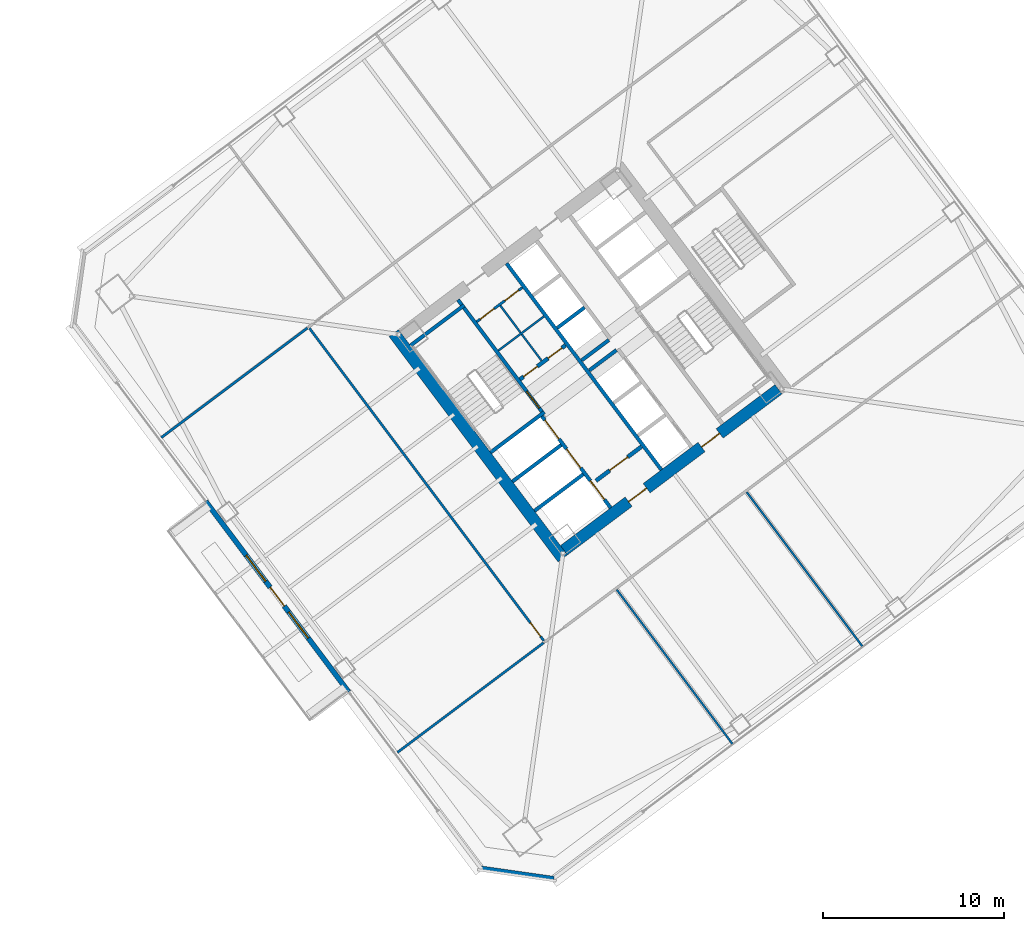
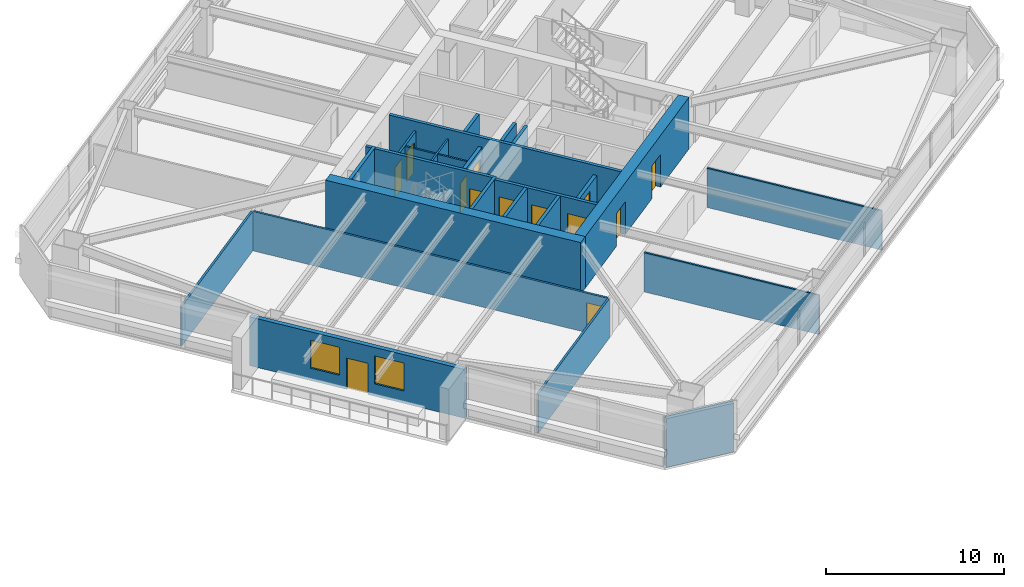
# One storey, part 38 of 46: 24 walls, 13 doors, 2 windows, 15 openings.
"""IFC4 building model written with IfcOpenShell, lengths in metres."""

from ifc_helpers import new_model, si_unit, direction, frame, frame_2d, origin, place, context, subcontext, project, spatial, rectangle, extrude, material, layer, layer_set, type_object, element, fill, save


model = new_model("IFC4")

# Units and contexts
model_context = context("Model", 3, precision=1e-05, world=origin(), true_north=direction((0.0, 1.0)))
body_context = subcontext(model_context, "Body", "Model", "MODEL_VIEW")
ifc_project = project(units=[si_unit("LENGTHUNIT", "METRE"), si_unit("AREAUNIT", "SQUARE_METRE"), si_unit("VOLUMEUNIT", "CUBIC_METRE"), si_unit("PLANEANGLEUNIT", "RADIAN"), si_unit("MASSUNIT", "GRAM", prefix="KILO")], contexts=[model_context])

# Site, building, storey
site_placement = place(None, origin())
site = spatial("IfcSite", under=ifc_project, at=site_placement, CompositionType="ELEMENT")
building_placement = place(site_placement, origin())
building = spatial("IfcBuilding", under=site, at=building_placement, Name="Tashvorn Skyway Center", CompositionType="ELEMENT")
storey_placement = place(building_placement, frame((0.0, 0.0, 60.10009765625)))
storey = spatial("IfcBuildingStorey", under=building, at=storey_placement, Name="L15", CompositionType="ELEMENT", Elevation=60.10009765625)

# Wall
ifc_material_1 = material(Name="Concrete C60/75", Category="concrete")
ifc_layer_1 = layer(ifc_material_1, 0.64990234375)
ifc_layer_set_1 = layer_set([ifc_layer_1], Name="Concrete C60/75")
wall_type_1 = type_object("IfcWallType", Name="WALL-CORE-650", PredefinedType="SHEAR", material=ifc_layer_set_1)
wall_1_placement = place(storey_placement, frame((112.47607421875, 21.10693359375, 0.0), z_axis=(0.0, 0.0, 1.0), x_axis=(-0.600005007985, 0.799996243986, 0.0)))
element("IfcWall", 1, at=wall_1_placement, inside=storey, type_object=wall_type_1, Name="Tower 2 L15 West Core Shear Wall", PredefinedType="SHEAR", context=body_context, shape_type="SweptSolid", body=[
    extrude(rectangle(XDim=15.60009765625, YDim=0.64990234375, at=frame_2d((7.800048828125, 0.0))), origin(), (0.0, 0.0, 1.0), 3.5498046875),
])

# Wall, openings, doors
wall_2_placement = place(storey_placement, frame((124.428955078125, 30.47802734375, 0.0), z_axis=(0.0, 0.0, 1.0), x_axis=(-0.799998028465, -0.600002628705, 0.0)))
wall_2 = element("IfcWall", 2, at=wall_2_placement, inside=storey, type_object=wall_type_1, Name="Tower 2 L15 South Core Shear Wall", PredefinedType="SHEAR", context=body_context, shape_type="SweptSolid", body=[
    extrude(rectangle(XDim=14.85986328125, YDim=0.64990234375, at=frame_2d((7.429931640625, 0.0))), origin(), (0.0, 0.0, 1.0), 3.5498046875),
])
opening_1_placement = place(wall_2_placement, frame((9.1298828125, 0.0, 0.0)))
opening_1 = element("IfcOpeningElement", 3, at=opening_1_placement, cuts=wall_2, Name="Opening D-FFL-1250", PredefinedType="OPENING", context=body_context, shape_type="SweptSolid", body=[
    extrude(rectangle(XDim=1.25, YDim=2.25, at=frame_2d((0.625, 1.125))), frame((0.0, 0.3349609375, 0.0), z_axis=(0.0, -1.0, 0.0), x_axis=(1.0, 0.0, 0.0)), (0.0, 0.0, 1.0), 0.669921875),
])
opening_2_placement = place(wall_2_placement, frame((4.080078125, 0.0, 0.0)))
opening_2 = element("IfcOpeningElement", 4, at=opening_2_placement, cuts=wall_2, Name="Opening D-FFL-1250", PredefinedType="OPENING", context=body_context, shape_type="SweptSolid", body=[
    extrude(rectangle(XDim=1.25, YDim=2.25, at=frame_2d((0.625, 1.125))), frame((0.0, 0.3349609375, 0.0), z_axis=(0.0, -1.0, 0.0), x_axis=(1.0, 0.0, 0.0)), (0.0, 0.0, 1.0), 0.669921875),
])
ifc_material_2 = material(Name="Hollow galvanized steel fire door assembly", Category="steel")
door_type_1 = type_object("IfcDoorType", Name="DOOR-FFL-1250", OperationType="NOTDEFINED", PredefinedType="DOOR", material=ifc_material_2)
door_1_placement = place(opening_1_placement, origin())
door_1 = element("IfcDoor", 5, at=door_1_placement, inside=storey, type_object=door_type_1, Name="Tower 2 L15 Core South Firefighting Exit Door", OperationType="SINGLE_SWING_LEFT", OverallHeight=2.25, OverallWidth=1.25, PredefinedType="DOOR", context=body_context, shape_type="SweptSolid", body=[
    extrude(rectangle(XDim=1.25, YDim=2.25, at=frame_2d((0.625, 1.125))), frame((0.0, 0.02490234375, 0.0), z_axis=(0.0, -1.0, 0.0), x_axis=(1.0, 0.0, 0.0)), (0.0, 0.0, 1.0), 0.050048828125),
])
fill(opening_1, door_1)
door_2_placement = place(opening_2_placement, origin())
door_2 = element("IfcDoor", 6, at=door_2_placement, inside=storey, type_object=door_type_1, Name="Tower 2 L15 Core South Lift Lobby Door", OperationType="SINGLE_SWING_RIGHT", OverallHeight=2.25, OverallWidth=1.25, PredefinedType="DOOR", context=body_context, shape_type="SweptSolid", body=[
    extrude(rectangle(XDim=1.25, YDim=2.25, at=frame_2d((0.625, 1.125))), frame((0.0, 0.02490234375, 0.0), z_axis=(0.0, -1.0, 0.0), x_axis=(1.0, 0.0, 0.0)), (0.0, 0.0, 1.0), 0.050048828125),
])
fill(opening_2, door_2)

# Wall, openings, door, windows
ifc_material_3 = material(Name="Precast concrete C40/50", Category="concrete")
ifc_layer_2 = layer(ifc_material_3, 0.280029296875)
ifc_layer_set_2 = layer_set([ifc_layer_2], Name="Precast concrete C40/50")
wall_type_2 = type_object("IfcWallType", Name="WALL-EXT-280", PredefinedType="SOLIDWALL", material=ifc_layer_set_2)
wall_3_placement = place(storey_placement, frame((100.615966796875, 13.7119140625, 0.0), z_axis=(0.0, 0.0, 1.0), x_axis=(-0.599994081423, 0.800004438899, 0.0)))
wall_3 = element("IfcWall", 7, at=wall_3_placement, inside=storey, type_object=wall_type_2, Name="Tower 2 L15 West Sky Garden Loggia Wall", PredefinedType="SOLIDWALL", context=body_context, shape_type="SweptSolid", body=[
    extrude(rectangle(XDim=13.199951171875, YDim=0.280029296875, at=frame_2d((6.60009765625, 0.0))), origin(), (0.0, 0.0, 1.0), 3.349853515625),
])
opening_3_placement = place(wall_3_placement, frame((5.949951171875, 0.0, 0.0)))
opening_3 = element("IfcOpeningElement", 8, at=opening_3_placement, cuts=wall_3, Name="Opening D-TER-1300", PredefinedType="OPENING", context=body_context, shape_type="SweptSolid", body=[
    extrude(rectangle(XDim=1.300048828125, YDim=2.14990234375, at=frame_2d((0.64990234375, 1.074951171875))), frame((0.0, 0.14990234375, 0.0), z_axis=(0.0, -1.0, 0.0), x_axis=(1.0, 0.0, 0.0)), (0.0, 0.0, 1.0), 0.300048828125),
])
opening_4_placement = place(wall_3_placement, frame((3.73193359375, 0.0, 0.85009765625)))
opening_4 = element("IfcOpeningElement", 9, at=opening_4_placement, cuts=wall_3, Name="Opening WIN-1800", PredefinedType="OPENING", context=body_context, shape_type="SweptSolid", body=[
    extrude(rectangle(XDim=1.800048828125, YDim=1.919921875, at=frame_2d((0.89990234375, 0.9599609375))), frame((0.0, 0.14990234375, 0.0), z_axis=(0.0, -1.0, 0.0), x_axis=(1.0, 0.0, 0.0)), (0.0, 0.0, 1.0), 0.300048828125),
])
opening_5_placement = place(wall_3_placement, frame((7.66796875, 0.0, 0.85009765625)))
opening_5 = element("IfcOpeningElement", 10, at=opening_5_placement, cuts=wall_3, Name="Opening WIN-1800", PredefinedType="OPENING", context=body_context, shape_type="SweptSolid", body=[
    extrude(rectangle(XDim=1.800048828125, YDim=1.919921875, at=frame_2d((0.89990234375, 0.9599609375))), frame((0.0, 0.14990234375, 0.0), z_axis=(0.0, -1.0, 0.0), x_axis=(1.0, 0.0, 0.0)), (0.0, 0.0, 1.0), 0.300048828125),
])
ifc_material_4 = material(Name="Thermally broken bronze-anodized aluminium 6063-T6", Category="aluminium")
door_type_2 = type_object("IfcDoorType", Name="DOOR-TERR-1300", OperationType="NOTDEFINED", PredefinedType="DOOR", material=ifc_material_4)
door_3_placement = place(opening_3_placement, origin())
door_3 = element("IfcDoor", 11, at=door_3_placement, inside=storey, type_object=door_type_2, Name="Tower 2 L15 Sky Garden Access Door", OperationType="SINGLE_SWING_RIGHT", OverallHeight=2.14990234375, OverallWidth=1.300048828125, PredefinedType="DOOR", context=body_context, shape_type="SweptSolid", body=[
    extrude(rectangle(XDim=1.300048828125, YDim=2.14990234375, at=frame_2d((0.64990234375, 1.074951171875))), frame((0.0, 0.02490234375, 0.0), z_axis=(0.0, -1.0, 0.0), x_axis=(1.0, 0.0, 0.0)), (0.0, 0.0, 1.0), 0.050048828125),
])
fill(opening_3, door_3)
ifc_material_5 = material(Name="Low-E solar-control double insulating safety glass", Category="glass")
window_type = type_object("IfcWindowType", Name="WIN-TERR-1800", PartitioningType="SINGLE_PANEL", PredefinedType="WINDOW", material=ifc_material_5)
window_1_placement = place(opening_4_placement, origin())
window_1 = element("IfcWindow", 12, at=window_1_placement, inside=storey, type_object=window_type, Name="Tower 2 L15 Sky Garden Window", OverallHeight=1.919921875, OverallWidth=1.800048828125, PartitioningType="SINGLE_PANEL", PredefinedType="WINDOW", context=body_context, shape_type="SweptSolid", body=[
    extrude(rectangle(XDim=1.800048828125, YDim=1.919921875, at=frame_2d((0.89990234375, 0.9599609375))), frame((0.0, 0.030029296875, 0.0), z_axis=(0.0, -1.0, 0.0), x_axis=(1.0, 0.0, 0.0)), (0.0, 0.0, 1.0), 0.06005859375),
])
fill(opening_4, window_1)
window_2_placement = place(opening_5_placement, origin())
window_2 = element("IfcWindow", 13, at=window_2_placement, inside=storey, type_object=window_type, Name="Tower 2 L15 Sky Garden Second Window", OverallHeight=1.919921875, OverallWidth=1.800048828125, PartitioningType="SINGLE_PANEL", PredefinedType="WINDOW", context=body_context, shape_type="SweptSolid", body=[
    extrude(rectangle(XDim=1.800048828125, YDim=1.919921875, at=frame_2d((0.89990234375, 0.9599609375))), frame((0.0, 0.030029296875, 0.0), z_axis=(0.0, -1.0, 0.0), x_axis=(1.0, 0.0, 0.0)), (0.0, 0.0, 1.0), 0.06005859375),
])
fill(opening_5, window_2)

# Wall
wall_4_placement = place(storey_placement, frame((111.97998046875, 3.360107421875, 0.0), z_axis=(0.0, 0.0, 1.0), x_axis=(-0.989955445613, 0.14137968631, 0.0)))
element("IfcWall", 14, at=wall_4_placement, inside=storey, type_object=wall_type_2, Name="Tower 2 L15 SW Precast Chamfer Wall", PredefinedType="SOLIDWALL", context=body_context, shape_type="SweptSolid", body=[
    extrude(rectangle(XDim=4.101318359375, YDim=0.280029296875, at=frame_2d((2.05078125, 0.0))), origin(), (0.0, 0.0, 1.0), 3.349853515625),
])

# Wall, openings, doors
ifc_material_6 = material(Name="Concrete C40/50", Category="concrete")
ifc_layer_3 = layer(ifc_material_6, 0.219970703125)
ifc_layer_set_3 = layer_set([ifc_layer_3], Name="Concrete C40/50")
wall_type_3 = type_object("IfcWallType", Name="WALL-FFL-220", PredefinedType="SOLIDWALL", material=ifc_layer_set_3)
wall_5_placement = place(storey_placement, frame((110.10400390625, 31.028076171875, 0.0), z_axis=(0.0, 0.0, 1.0), x_axis=(0.800018601094, 0.59997519774, 0.0)))
wall_5 = element("IfcWall", 15, at=wall_5_placement, inside=storey, type_object=wall_type_3, Name="Tower 2 L15 Firefighting Lobby North Wall", PredefinedType="SOLIDWALL", context=body_context, shape_type="SweptSolid", body=[
    extrude(rectangle(XDim=3.14990234375, YDim=0.219970703125, at=frame_2d((1.574951171875, 0.0))), origin(), (0.0, 0.0, 1.0), 2.702880859375),
])
opening_6_placement = place(wall_5_placement, frame((0.25, 0.0, 0.0)))
opening_6 = element("IfcOpeningElement", 16, at=opening_6_placement, cuts=wall_5, Name="Opening D-RT-950", PredefinedType="OPENING", context=body_context, shape_type="SweptSolid", body=[
    extrude(rectangle(XDim=0.949951171875, YDim=2.050048828125, at=frame_2d((0.47509765625, 1.02490234375))), frame((0.0, 0.119873046875, 0.0), z_axis=(0.0, -1.0, 0.0), x_axis=(1.0, 0.0, 0.0)), (0.0, 0.0, 1.0), 0.239990234375),
])
opening_7_placement = place(wall_5_placement, frame((1.949951171875, 0.0, 0.0)))
opening_7 = element("IfcOpeningElement", 17, at=opening_7_placement, cuts=wall_5, Name="Opening D-RT-950", PredefinedType="OPENING", context=body_context, shape_type="SweptSolid", body=[
    extrude(rectangle(XDim=0.949951171875, YDim=2.050048828125, at=frame_2d((0.47509765625, 1.02490234375))), frame((0.0, 0.119873046875, 0.0), z_axis=(0.0, -1.0, 0.0), x_axis=(1.0, 0.0, 0.0)), (0.0, 0.0, 1.0), 0.239990234375),
])
door_type_3 = type_object("IfcDoorType", Name="DOOR-RATED-950", OperationType="NOTDEFINED", PredefinedType="DOOR", material=ifc_material_2)
door_4_placement = place(opening_6_placement, origin())
door_4 = element("IfcDoor", 18, at=door_4_placement, inside=storey, type_object=door_type_3, Name="Tower 2 L15 Core Mail Room Door", OperationType="SINGLE_SWING_LEFT", OverallHeight=2.050048828125, OverallWidth=0.949951171875, PredefinedType="DOOR", context=body_context, shape_type="SweptSolid", body=[
    extrude(rectangle(XDim=0.949951171875, YDim=2.050048828125, at=frame_2d((0.47509765625, 1.02490234375))), frame((0.0, 0.02490234375, 0.0), z_axis=(0.0, -1.0, 0.0), x_axis=(1.0, 0.0, 0.0)), (0.0, 0.0, 1.0), 0.050048828125),
])
fill(opening_6, door_4)
door_5_placement = place(opening_7_placement, origin())
door_5 = element("IfcDoor", 19, at=door_5_placement, inside=storey, type_object=door_type_3, Name="Tower 2 L15 Core Supply Closet Door", OperationType="SINGLE_SWING_RIGHT", OverallHeight=2.050048828125, OverallWidth=0.949951171875, PredefinedType="DOOR", context=body_context, shape_type="SweptSolid", body=[
    extrude(rectangle(XDim=0.949951171875, YDim=2.050048828125, at=frame_2d((0.47509765625, 1.02490234375))), frame((0.0, 0.02490234375, 0.0), z_axis=(0.0, -1.0, 0.0), x_axis=(1.0, 0.0, 0.0)), (0.0, 0.0, 1.0), 0.050048828125),
])
fill(opening_7, door_5)

# Wall, opening, door
wall_6_placement = place(storey_placement, frame((114.31591796875, 25.412109375, 0.0), z_axis=(0.0, 0.0, 1.0), x_axis=(0.800018601094, 0.59997519774, 0.0)))
wall_6 = element("IfcWall", 20, at=wall_6_placement, inside=storey, type_object=wall_type_3, Name="Tower 2 L15 Firefighting Lobby South Wall", PredefinedType="SOLIDWALL", context=body_context, shape_type="SweptSolid", body=[
    extrude(rectangle(XDim=3.14990234375, YDim=0.219970703125, at=frame_2d((1.574951171875, 0.0))), origin(), (0.0, 0.0, 1.0), 2.702880859375),
])
opening_8_placement = place(wall_6_placement, frame((0.949951171875, 0.0, 0.0)))
opening_8 = element("IfcOpeningElement", 21, at=opening_8_placement, cuts=wall_6, Name="Opening D-FFL-1250", PredefinedType="OPENING", context=body_context, shape_type="SweptSolid", body=[
    extrude(rectangle(XDim=1.25, YDim=2.25, at=frame_2d((0.625, 1.125))), frame((0.0, 0.119873046875, 0.0), z_axis=(0.0, -1.0, 0.0), x_axis=(1.0, 0.0, 0.0)), (0.0, 0.0, 1.0), 0.239990234375),
])
door_6_placement = place(opening_8_placement, origin())
door_6 = element("IfcDoor", 22, at=door_6_placement, inside=storey, type_object=door_type_1, Name="Tower 2 L15 Firefighting Lobby Egress Door", OperationType="SINGLE_SWING_LEFT", OverallHeight=2.25, OverallWidth=1.25, PredefinedType="DOOR", context=body_context, shape_type="SweptSolid", body=[
    extrude(rectangle(XDim=1.25, YDim=2.25, at=frame_2d((0.625, 1.125))), frame((0.0, 0.02490234375, 0.0), z_axis=(0.0, -1.0, 0.0), x_axis=(1.0, 0.0, 0.0)), (0.0, 0.0, 1.0), 0.050048828125),
])
fill(opening_8, door_6)

# Walls
ifc_material_7 = material(Name="Gypsum board on cold-formed steel stud framing", Category="steel")
ifc_layer_4 = layer(ifc_material_7, 0.110107421875)
ifc_layer_set_4 = layer_set([ifc_layer_4], Name="Gypsum board on cold-formed steel stud framing")
wall_type_4 = type_object("IfcWallType", Name="WALL-PART-110", PredefinedType="PARTITIONING", material=ifc_layer_set_4)
wall_7_placement = place(storey_placement, frame((121.887939453125, 10.81591796875, 0.0), z_axis=(0.0, 0.0, 1.0), x_axis=(-0.599992698573, 0.800005476018, 0.0)))
element("IfcWall", 23, at=wall_7_placement, inside=storey, type_object=wall_type_4, Name="Tower 2 L15 South Suite Partition 1", PredefinedType="PARTITIONING", context=body_context, shape_type="SweptSolid", body=[
    extrude(rectangle(XDim=10.699951171875, YDim=0.110107421875, at=frame_2d((5.35009765625, 0.0))), origin(), (0.0, 0.0, 1.0), 2.702880859375),
])
wall_8_placement = place(storey_placement, frame((129.087890625, 16.216064453125, 0.0), z_axis=(0.0, 0.0, 1.0), x_axis=(-0.600003650761, 0.799997261916, 0.0)))
element("IfcWall", 24, at=wall_8_placement, inside=storey, type_object=wall_type_4, Name="Tower 2 L15 South Suite Partition 2", PredefinedType="PARTITIONING", context=body_context, shape_type="SweptSolid", body=[
    extrude(rectangle(XDim=10.69970703125, YDim=0.110107421875, at=frame_2d((5.349853515625, 0.0))), origin(), (0.0, 0.0, 1.0), 2.702880859375),
])

# Wall, opening, door
ifc_layer_5 = layer(ifc_material_7, 0.135009765625)
ifc_layer_set_5 = layer_set([ifc_layer_5], Name="Gypsum board on cold-formed steel stud framing")
wall_type_5 = type_object("IfcWallType", Name="WALL-PART-135", PredefinedType="PARTITIONING", material=ifc_layer_set_5)
wall_9_placement = place(storey_placement, frame((111.427978515625, 16.5458984375, 0.0), z_axis=(0.0, 0.0, 1.0), x_axis=(-0.599996389772, 0.800002707659, 0.0)))
wall_9 = element("IfcWall", 25, at=wall_9_placement, inside=storey, type_object=wall_type_5, Name="Tower 2 L15 West Inner Suite Wall", PredefinedType="PARTITIONING", context=body_context, shape_type="SweptSolid", body=[
    extrude(rectangle(XDim=21.639892578125, YDim=0.135009765625, at=frame_2d((10.81982421875, 0.0))), origin(), (0.0, 0.0, 1.0), 2.702880859375),
])
opening_9_placement = place(wall_9_placement, frame((0.300048828125, 0.0, 0.0)))
opening_9 = element("IfcOpeningElement", 26, at=opening_9_placement, cuts=wall_9, Name="Opening D-INT-950", PredefinedType="OPENING", context=body_context, shape_type="SweptSolid", body=[
    extrude(rectangle(XDim=0.949951171875, YDim=2.050048828125, at=frame_2d((0.47509765625, 1.02490234375))), frame((0.0, 0.077392578125, 0.0), z_axis=(0.0, -1.0, 0.0), x_axis=(1.0, 0.0, 0.0)), (0.0, 0.0, 1.0), 0.155029296875),
])
ifc_material_8 = material(Name="Solid-core architectural oak veneer door")
door_type_4 = type_object("IfcDoorType", Name="DOOR-INT-950", OperationType="NOTDEFINED", PredefinedType="DOOR", material=ifc_material_8)
door_7_placement = place(opening_9_placement, origin())
door_7 = element("IfcDoor", 27, at=door_7_placement, inside=storey, type_object=door_type_4, Name="Tower 2 L15 Security Control Room Door", OperationType="SINGLE_SWING_LEFT", OverallHeight=2.050048828125, OverallWidth=0.949951171875, PredefinedType="DOOR", context=body_context, shape_type="SweptSolid", body=[
    extrude(rectangle(XDim=0.949951171875, YDim=2.050048828125, at=frame_2d((0.47509765625, 1.02490234375))), frame((0.0, 0.02490234375, 0.0), z_axis=(0.0, -1.0, 0.0), x_axis=(1.0, 0.0, 0.0)), (0.0, 0.0, 1.0), 0.050048828125),
])
fill(opening_9, door_7)

# Walls
wall_10_placement = place(storey_placement, frame((98.33203125, 33.8740234375, 0.0), z_axis=(0.0, 0.0, 1.0), x_axis=(-0.799997105034, -0.600003859935, 0.0)))
element("IfcWall", 28, at=wall_10_placement, inside=storey, type_object=wall_type_5, Name="Tower 2 L15 West Suite North Wall", PredefinedType="PARTITIONING", context=body_context, shape_type="SweptSolid", body=[
    extrude(rectangle(XDim=10.119873046875, YDim=0.135009765625, at=frame_2d((5.06005859375, 0.0))), origin(), (0.0, 0.0, 1.0), 2.702880859375),
])
wall_11_placement = place(storey_placement, frame((103.31591796875, 10.362060546875, 0.0), z_axis=(0.0, 0.0, 1.0), x_axis=(0.800005789764, 0.599992280237, 0.0)))
element("IfcWall", 29, at=wall_11_placement, inside=storey, type_object=wall_type_5, Name="Tower 2 L15 West Suite South Wall", PredefinedType="PARTITIONING", context=body_context, shape_type="SweptSolid", body=[
    extrude(rectangle(XDim=10.1201171875, YDim=0.135009765625, at=frame_2d((5.06005859375, 0.0))), origin(), (0.0, 0.0, 1.0), 2.702880859375),
])
ifc_layer_6 = layer(ifc_material_7, 0.110107421875)
ifc_layer_set_6 = layer_set([ifc_layer_6], Name="Gypsum board on cold-formed steel stud framing")
wall_type_6 = type_object("IfcWallType", Name="WALL-RATED-110", PredefinedType="PARTITIONING", material=ifc_layer_set_6)
wall_12_placement = place(storey_placement, frame((111.2958984375, 32.072021484375, 0.0), z_axis=(0.0, 0.0, 1.0), x_axis=(-0.59995887973, 0.800030838552, 0.0)))
element("IfcWall", 30, at=wall_12_placement, inside=storey, type_object=wall_type_6, Name="Tower 2 L15 Core Cross Vertical", PredefinedType="PARTITIONING", context=body_context, shape_type="SweptSolid", body=[
    extrude(rectangle(XDim=3.7998046875, YDim=0.110107421875, at=frame_2d((1.89990234375, 0.0))), origin(), (0.0, 0.0, 1.0), 2.702880859375),
])
wall_13_placement = place(storey_placement, frame((108.909912109375, 32.6201171875, 0.0), z_axis=(0.0, 0.0, 1.0), x_axis=(0.800018601094, 0.59997519774, 0.0)))
element("IfcWall", 31, at=wall_13_placement, inside=storey, type_object=wall_type_6, Name="Tower 2 L15 Core Cross Horizontal", PredefinedType="PARTITIONING", context=body_context, shape_type="SweptSolid", body=[
    extrude(rectangle(XDim=3.14990234375, YDim=0.110107421875, at=frame_2d((1.574951171875, 0.0))), origin(), (0.0, 0.0, 1.0), 2.702880859375),
])

# Wall, openings, doors
ifc_layer_7 = layer(ifc_material_7, 0.135009765625)
ifc_layer_set_7 = layer_set([ifc_layer_7], Name="Gypsum board on cold-formed steel stud framing")
wall_type_7 = type_object("IfcWallType", Name="WALL-RATED-135", PredefinedType="PARTITIONING", material=ifc_layer_set_7)
wall_14_placement = place(storey_placement, frame((107.7099609375, 34.219970703125, 0.0), z_axis=(0.0, 0.0, 1.0), x_axis=(0.799981399002, 0.60002480053, 0.0)))
wall_14 = element("IfcWall", 32, at=wall_14_placement, inside=storey, type_object=wall_type_7, Name="Tower 2 L15 Core Service Lobby Wall", PredefinedType="PARTITIONING", context=body_context, shape_type="SweptSolid", body=[
    extrude(rectangle(XDim=3.150146484375, YDim=0.135009765625, at=frame_2d((1.5751953125, 0.0))), origin(), (0.0, 0.0, 1.0), 2.702880859375),
])
opening_10_placement = place(wall_14_placement, frame((0.25, 0.0, 0.0)))
opening_10 = element("IfcOpeningElement", 33, at=opening_10_placement, cuts=wall_14, Name="Opening D-RT-950", PredefinedType="OPENING", context=body_context, shape_type="SweptSolid", body=[
    extrude(rectangle(XDim=0.949951171875, YDim=2.050048828125, at=frame_2d((0.47509765625, 1.02490234375))), frame((0.0, 0.077392578125, 0.0), z_axis=(0.0, -1.0, 0.0), x_axis=(1.0, 0.0, 0.0)), (0.0, 0.0, 1.0), 0.155029296875),
])
opening_11_placement = place(wall_14_placement, frame((1.949951171875, 0.0, 0.0)))
opening_11 = element("IfcOpeningElement", 34, at=opening_11_placement, cuts=wall_14, Name="Opening D-RT-950", PredefinedType="OPENING", context=body_context, shape_type="SweptSolid", body=[
    extrude(rectangle(XDim=0.949951171875, YDim=2.050048828125, at=frame_2d((0.47509765625, 1.02490234375))), frame((0.0, 0.077392578125, 0.0), z_axis=(0.0, -1.0, 0.0), x_axis=(1.0, 0.0, 0.0)), (0.0, 0.0, 1.0), 0.155029296875),
])
door_8_placement = place(opening_10_placement, origin())
door_8 = element("IfcDoor", 35, at=door_8_placement, inside=storey, type_object=door_type_3, Name="Tower 2 L15 Core Cleaner Store Door", OperationType="SINGLE_SWING_LEFT", OverallHeight=2.050048828125, OverallWidth=0.949951171875, PredefinedType="DOOR", context=body_context, shape_type="SweptSolid", body=[
    extrude(rectangle(XDim=0.949951171875, YDim=2.050048828125, at=frame_2d((0.47509765625, 1.02490234375))), frame((0.0, 0.02490234375, 0.0), z_axis=(0.0, -1.0, 0.0), x_axis=(1.0, 0.0, 0.0)), (0.0, 0.0, 1.0), 0.050048828125),
])
fill(opening_10, door_8)
door_9_placement = place(opening_11_placement, origin())
door_9 = element("IfcDoor", 36, at=door_9_placement, inside=storey, type_object=door_type_3, Name="Tower 2 L15 Core Accessible WC Door", OperationType="SINGLE_SWING_RIGHT", OverallHeight=2.050048828125, OverallWidth=0.949951171875, PredefinedType="DOOR", context=body_context, shape_type="SweptSolid", body=[
    extrude(rectangle(XDim=0.949951171875, YDim=2.050048828125, at=frame_2d((0.47509765625, 1.02490234375))), frame((0.0, 0.02490234375, 0.0), z_axis=(0.0, -1.0, 0.0), x_axis=(1.0, 0.0, 0.0)), (0.0, 0.0, 1.0), 0.050048828125),
])
fill(opening_11, door_9)

# Walls
ifc_layer_8 = layer(ifc_material_6, 0.199951171875)
ifc_layer_set_8 = layer_set([ifc_layer_8], Name="Concrete C40/50")
wall_type_8 = type_object("IfcWallType", Name="WALL-SHAFT-200", PredefinedType="SOLIDWALL", material=ifc_layer_set_8)
for number, where, z_axis, x_axis, name in (
    (37, (110.906005859375, 23.741943359375, 0.0), (0.0, 0.0, 1.0), (0.8, 0.6, 0.0), "Tower 2 L15 FSAE Shaft Divider"),
    (38, (109.68798828125, 25.365966796875, 0.0), (0.0, 0.0, 1.0), (0.8, 0.6, 0.0), "Tower 2 L15 FSAE Shaft Divider"),
):
    element("IfcWall", number, at=place(storey_placement, frame(where, z_axis=z_axis, x_axis=x_axis)), inside=storey, type_object=wall_type_8, Name=name, PredefinedType="SOLIDWALL", context=body_context, shape_type="SweptSolid", body=[
        extrude(rectangle(XDim=3.380126953125, YDim=0.199951171875, at=frame_2d((1.68994140625, 0.0))), origin(), (0.0, 0.0, 1.0), 3.349853515625),
    ])
wall_15_placement = place(storey_placement, frame((113.946044921875, 31.52197265625, 0.0), z_axis=(0.0, 0.0, 1.0), x_axis=(0.8, 0.6, 0.0)))
element("IfcWall", 39, at=wall_15_placement, inside=storey, type_object=wall_type_8, Name="Tower 2 L15 Low-Rise Shaft Divider", PredefinedType="SOLIDWALL", context=body_context, shape_type="SweptSolid", body=[
    extrude(rectangle(XDim=1.8798828125, YDim=0.199951171875, at=frame_2d((0.93994140625, 0.0))), origin(), (0.0, 0.0, 1.0), 3.349853515625),
])
wall_16_placement = place(storey_placement, frame((113.52587890625, 32.08203125, 0.0), z_axis=(0.0, 0.0, 1.0), x_axis=(0.800046745961, 0.599937666993, 0.0)))
element("IfcWall", 40, at=wall_16_placement, inside=storey, type_object=wall_type_8, Name="Tower 2 L15 Mid-Rise Shaft Divider", PredefinedType="SOLIDWALL", context=body_context, shape_type="SweptSolid", body=[
    extrude(rectangle(XDim=1.880126953125, YDim=0.199951171875, at=frame_2d((0.93994140625, 0.0))), origin(), (0.0, 0.0, 1.0), 3.349853515625),
])
wall_17_placement = place(storey_placement, frame((112.176025390625, 33.882080078125, 0.0), z_axis=(0.0, 0.0, 1.0), x_axis=(0.8, 0.6, 0.0)))
element("IfcWall", 41, at=wall_17_placement, inside=storey, type_object=wall_type_8, Name="Tower 2 L15 Mid-Rise Shaft Divider", PredefinedType="SOLIDWALL", context=body_context, shape_type="SweptSolid", body=[
    extrude(rectangle(XDim=1.8798828125, YDim=0.199951171875, at=frame_2d((0.93994140625, 0.0))), origin(), (0.0, 0.0, 1.0), 3.349853515625),
])

# Wall, opening, door
ifc_layer_9 = layer(ifc_material_6, 0.199951171875)
ifc_layer_set_9 = layer_set([ifc_layer_9], Name="Concrete C40/50")
wall_type_9 = type_object("IfcWallType", Name="WALL-STSHF-200", PredefinedType="SHEAR", material=ifc_layer_set_9)
wall_18_placement = place(storey_placement, frame((111.43994140625, 29.080078125, 0.0), z_axis=(0.0, 0.0, 1.0), x_axis=(-0.600009827119, 0.799992629566, 0.0)))
wall_18 = element("IfcWall", 42, at=wall_18_placement, inside=storey, type_object=wall_type_9, Name="Tower 2 L15 Stair 1 Enclosure Wall", PredefinedType="SHEAR", context=body_context, shape_type="SweptSolid", body=[
    extrude(rectangle(XDim=7.949951171875, YDim=0.199951171875, at=frame_2d((3.97509765625, 0.0))), origin(), (0.0, 0.0, 1.0), 3.349853515625),
])
opening_12_placement = place(wall_18_placement, frame((0.449951171875, 0.0, 0.0)))
opening_12 = element("IfcOpeningElement", 43, at=opening_12_placement, cuts=wall_18, Name="Opening D-ST-1150", PredefinedType="OPENING", context=body_context, shape_type="SweptSolid", body=[
    extrude(rectangle(XDim=1.14990234375, YDim=2.199951171875, at=frame_2d((0.574951171875, 1.10009765625))), frame((0.0, 0.10986328125, 0.0), z_axis=(0.0, -1.0, 0.0), x_axis=(1.0, 0.0, 0.0)), (0.0, 0.0, 1.0), 0.219970703125),
])
door_type_5 = type_object("IfcDoorType", Name="DOOR-STAIR-1150", OperationType="NOTDEFINED", PredefinedType="DOOR", material=ifc_material_2)
door_10_placement = place(opening_12_placement, origin())
door_10 = element("IfcDoor", 44, at=door_10_placement, inside=storey, type_object=door_type_5, Name="Tower 2 L15 Exit Stair 1 Door", OperationType="SINGLE_SWING_RIGHT", OverallHeight=2.199951171875, OverallWidth=1.14990234375, PredefinedType="DOOR", context=body_context, shape_type="SweptSolid", body=[
    extrude(rectangle(XDim=1.14990234375, YDim=2.199951171875, at=frame_2d((0.574951171875, 1.10009765625))), frame((0.0, 0.02490234375, 0.0), z_axis=(0.0, -1.0, 0.0), x_axis=(1.0, 0.0, 0.0)), (0.0, 0.0, 1.0), 0.050048828125),
])
fill(opening_12, door_10)

# Walls
for number, where, z_axis, x_axis, name in (
    (45, (108.47607421875, 26.98193359375, 0.0), (0.0, 0.0, 1.0), (0.799984290658, 0.600020945218, 0.0), "Tower 2 L15 Stair 1 South Wall"),
    (46, (104.035888671875, 32.902099609375, 0.0), (0.0, 0.0, 1.0), (0.800039270442, 0.59994763584, 0.0), "Tower 2 L15 Stair 1 North Wall"),
):
    element("IfcWall", number, at=place(storey_placement, frame(where, z_axis=z_axis, x_axis=x_axis)), inside=storey, type_object=wall_type_9, Name=name, PredefinedType="SHEAR", context=body_context, shape_type="SweptSolid", body=[
        extrude(rectangle(XDim=3.72998046875, YDim=0.199951171875, at=frame_2d((1.864990234375, 0.0))), origin(), (0.0, 0.0, 1.0), 3.349853515625),
    ])
wall_19_placement = place(storey_placement, frame((117.93798828125, 26.01611328125, 0.0), z_axis=(0.0, 0.0, 1.0), x_axis=(-0.600005463273, 0.799995902516, 0.0)))
element("IfcWall", 47, at=wall_19_placement, inside=storey, type_object=wall_type_9, Name="Tower 2 L15 Firefighting Lobby East Smoke Barrier", PredefinedType="SHEAR", context=body_context, shape_type="SweptSolid", body=[
    extrude(rectangle(XDim=14.300048828125, YDim=0.199951171875, at=frame_2d((7.14990234375, 0.0))), origin(), (0.0, 0.0, 1.0), 3.349853515625),
])

# Wall, openings, doors
wall_20_placement = place(storey_placement, frame((115.1298828125, 23.909912109375, 0.0), z_axis=(0.0, 0.0, 1.0), x_axis=(-0.599975393228, 0.800018454488, 0.0)))
wall_20 = element("IfcWall", 48, at=wall_20_placement, inside=storey, type_object=wall_type_9, Name="Tower 2 L15 FSAE and Goods Shaft Front Wall", PredefinedType="SHEAR", context=body_context, shape_type="SweptSolid", body=[
    extrude(rectangle(XDim=6.349853515625, YDim=0.199951171875, at=frame_2d((3.1748046875, 0.0))), origin(), (0.0, 0.0, 1.0), 3.349853515625),
])
opening_13_placement = place(wall_20_placement, frame((4.77490234375, 0.0, 0.0)))
opening_13 = element("IfcOpeningElement", 49, at=opening_13_placement, cuts=wall_20, Name="Opening LD-FF-T2-1-L15", PredefinedType="OPENING", context=body_context, shape_type="SweptSolid", body=[
    extrude(rectangle(XDim=1.300048828125, YDim=2.25, at=frame_2d((0.64990234375, 1.125))), frame((0.0, 0.10986328125, 0.0), z_axis=(0.0, -1.0, 0.0), x_axis=(1.0, 0.0, 0.0)), (0.0, 0.0, 1.0), 0.219970703125),
])
opening_14_placement = place(wall_20_placement, frame((2.77490234375, 0.0, 0.0)))
opening_14 = element("IfcOpeningElement", 50, at=opening_14_placement, cuts=wall_20, Name="Opening LD-FF-T2-2-L15", PredefinedType="OPENING", context=body_context, shape_type="SweptSolid", body=[
    extrude(rectangle(XDim=1.300048828125, YDim=2.25, at=frame_2d((0.64990234375, 1.125))), frame((0.0, 0.10986328125, 0.0), z_axis=(0.0, -1.0, 0.0), x_axis=(1.0, 0.0, 0.0)), (0.0, 0.0, 1.0), 0.219970703125),
])
opening_15_placement = place(wall_20_placement, frame((0.574951171875, 0.0, 0.0)))
opening_15 = element("IfcOpeningElement", 51, at=opening_15_placement, cuts=wall_20, Name="Opening LD-GD-T2-1-L15", PredefinedType="OPENING", context=body_context, shape_type="SweptSolid", body=[
    extrude(rectangle(XDim=1.300048828125, YDim=2.25, at=frame_2d((0.64990234375, 1.125))), frame((0.0, 0.10986328125, 0.0), z_axis=(0.0, -1.0, 0.0), x_axis=(1.0, 0.0, 0.0)), (0.0, 0.0, 1.0), 0.219970703125),
])
ifc_material_9 = material(Name="Stainless steel heavy-duty landing door", Category="steel")
door_type_6 = type_object("IfcDoorType", Name="DOOR-LIFT-1300", OperationType="SLIDING_TO_LEFT", PredefinedType="DOOR", material=ifc_material_9)
door_11_placement = place(opening_13_placement, origin())
door_11 = element("IfcDoor", 52, at=door_11_placement, inside=storey, type_object=door_type_6, Name="Lift FF-T2-1 L15 Landing Door", OperationType="SLIDING_TO_LEFT", OverallHeight=2.25, OverallWidth=1.300048828125, PredefinedType="DOOR", context=body_context, shape_type="SweptSolid", body=[
    extrude(rectangle(XDim=1.300048828125, YDim=2.25, at=frame_2d((0.64990234375, 1.125))), frame((0.0, 0.02490234375, 0.0), z_axis=(0.0, -1.0, 0.0), x_axis=(1.0, 0.0, 0.0)), (0.0, 0.0, 1.0), 0.050048828125),
])
fill(opening_13, door_11)
door_12_placement = place(opening_14_placement, origin())
door_12 = element("IfcDoor", 53, at=door_12_placement, inside=storey, type_object=door_type_6, Name="Lift FF-T2-2 L15 Landing Door", OperationType="SLIDING_TO_LEFT", OverallHeight=2.25, OverallWidth=1.300048828125, PredefinedType="DOOR", context=body_context, shape_type="SweptSolid", body=[
    extrude(rectangle(XDim=1.300048828125, YDim=2.25, at=frame_2d((0.64990234375, 1.125))), frame((0.0, 0.02490234375, 0.0), z_axis=(0.0, -1.0, 0.0), x_axis=(1.0, 0.0, 0.0)), (0.0, 0.0, 1.0), 0.050048828125),
])
fill(opening_14, door_12)
door_13_placement = place(opening_15_placement, origin())
door_13 = element("IfcDoor", 54, at=door_13_placement, inside=storey, type_object=door_type_6, Name="Lift GD-T2-1 L15 Landing Door", OperationType="SLIDING_TO_LEFT", OverallHeight=2.25, OverallWidth=1.300048828125, PredefinedType="DOOR", context=body_context, shape_type="SweptSolid", body=[
    extrude(rectangle(XDim=1.300048828125, YDim=2.25, at=frame_2d((0.64990234375, 1.125))), frame((0.0, 0.02490234375, 0.0), z_axis=(0.0, -1.0, 0.0), x_axis=(1.0, 0.0, 0.0)), (0.0, 0.0, 1.0), 0.050048828125),
])
fill(opening_15, door_13)

save(model, "model.ifc")
